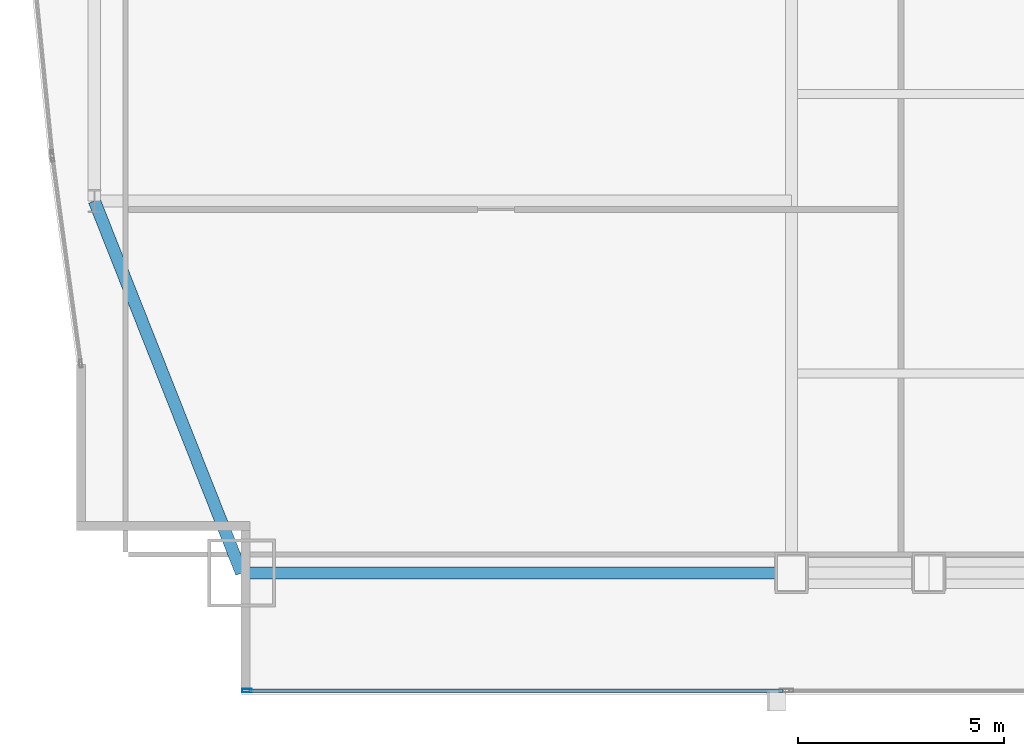
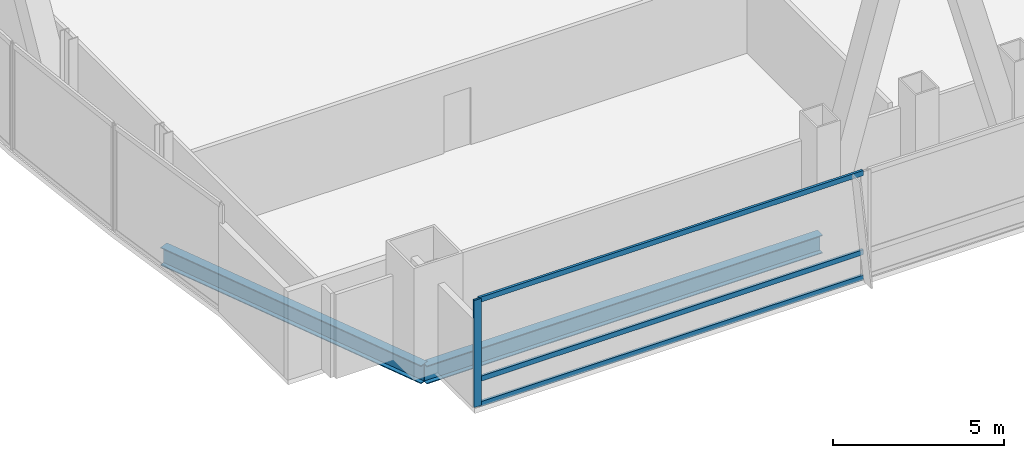
# One storey, part 5 of 35: 4 members, 2 beams, 1 element without a shape of its own.
"""IFC4 building model written with IfcOpenShell, lengths in metres."""

from ifc_helpers import new_model, si_unit, direction, frame, origin, origin_2d, place, context, subcontext, project, spatial, hollow_rectangle, i_section, extrude, material, material_profile, profile_set, type_object, element, aggregate, save


model = new_model("IFC4")

# Units and contexts
model_context = context("Model", 3, precision=1e-05, world=origin(), true_north=direction((0.0, 1.0)))
body_context = subcontext(model_context, "Body", "Model", "MODEL_VIEW")
ifc_project = project(units=[si_unit("LENGTHUNIT", "METRE"), si_unit("AREAUNIT", "SQUARE_METRE"), si_unit("VOLUMEUNIT", "CUBIC_METRE"), si_unit("PLANEANGLEUNIT", "RADIAN"), si_unit("MASSUNIT", "GRAM", prefix="KILO")], contexts=[model_context])

# Site, building, storey
site_placement = place(None, origin())
site = spatial("IfcSite", under=ifc_project, at=site_placement, CompositionType="ELEMENT")
building_placement = place(site_placement, origin())
building = spatial("IfcBuilding", under=site, at=building_placement, Name="Khoronbel Lancet Exchange", CompositionType="ELEMENT")
storey_placement = place(building_placement, frame((0.0, 0.0, 37.800048828125)))
storey = spatial("IfcBuildingStorey", under=building, at=storey_placement, Name="L08", CompositionType="ELEMENT", Elevation=37.800048828125)

# Beams
ifc_material_1 = material(Name="Steel S355", Category="steel")
ifc_material_profile_1 = material_profile(ifc_material_1, i_section(OverallWidth=0.300048828125, OverallDepth=0.64990234375, WebThickness=0.01611328125, FlangeThickness=0.031005859375, at=origin_2d()), Name="HEB 650")
ifc_profile_set_1 = profile_set([ifc_material_profile_1], Name="Steel S355")
beam_type = type_object("IfcBeamType", Name="BM-BSP1", PredefinedType="SPANDREL", material=ifc_profile_set_1)
beam_1_placement = place(storey_placement, frame((4.85009765625, 10.14990234375, -0.505126953125), z_axis=(1.0, 0.0, 0.0), x_axis=(0.0, 1.0, 0.0)))
element("IfcBeam", 1, at=beam_1_placement, inside=storey, type_object=beam_type, Name="Level L08 perimeter spandrel beam SP01", PredefinedType="SPANDREL", context=body_context, shape_type="SweptSolid", body=[
    extrude(i_section(OverallWidth=0.300048828125, OverallDepth=0.64990234375, WebThickness=0.01611328125, FlangeThickness=0.031005859375, at=origin_2d()), origin(), (0.0, 0.0, 1.0), 13.375),
])
beam_2_placement = place(storey_placement, frame((1.27001953125, 19.199951171875, -0.505126953125), z_axis=(0.367850095026, -0.92988510451, 0.0), x_axis=(0.92988510451, 0.367850095026, 0.0)))
element("IfcBeam", 2, at=beam_2_placement, inside=storey, type_object=beam_type, Name="Level L08 perimeter spandrel beam SP21", PredefinedType="SPANDREL", context=body_context, shape_type="SweptSolid", body=[
    extrude(i_section(OverallWidth=0.300048828125, OverallDepth=0.64990234375, WebThickness=0.01611328125, FlangeThickness=0.031005859375, at=origin_2d()), origin(), (0.0, 0.0, 1.0), 9.732421875),
])

# Curtain wall, members
ifc_material_2 = material(Name="Low-E Solar Control Insulating Glass", Category="glass")
curtain_wall_type = type_object("IfcCurtainWallType", Name="CW-1", PredefinedType="NOTDEFINED", material=ifc_material_2)
curtain_wall_placement = place(storey_placement, origin())
curtain_wall = element("IfcCurtainWall", 3, at=curtain_wall_placement, inside=storey, type_object=curtain_wall_type, Name="Unitised curtain wall CW-L08-SWV", PredefinedType="NOTDEFINED")
ifc_material_3 = material(Name="Bronze-Anodised Aluminium 6063-T6", Category="aluminium")
ifc_material_profile_2 = material_profile(ifc_material_3, hollow_rectangle(XDim=0.0849609375, YDim=0.239990234375, WallThickness=0.006103515625, at=origin_2d()), Name="ALU MULLION 85x240")
ifc_profile_set_2 = profile_set([ifc_material_profile_2], Name="Bronze-Anodised Aluminium 6063-T6")
member_type_1 = type_object("IfcMemberType", Name="MEM-CWM1", PredefinedType="MULLION", material=ifc_profile_set_2)
member_1_placement = place(storey_placement, frame((4.982421875, 7.2900390625, 0.0), z_axis=(0.0, 0.0, 1.0), x_axis=(0.0, 1.0, 0.0)))
member_1 = element("IfcMember", 4, at=member_1_placement, type_object=member_type_1, Name="CW1 mullion 1", PredefinedType="MULLION", context=body_context, shape_type="SweptSolid", body=[
    extrude(hollow_rectangle(XDim=0.0849609375, YDim=0.239990234375, WallThickness=0.006103515625, at=origin_2d()), origin(), (0.0, 0.0, 1.0), 3.820068359375),
])
ifc_material_profile_3 = material_profile(ifc_material_3, hollow_rectangle(XDim=0.0849609375, YDim=0.179931640625, WallThickness=0.0048828125, at=origin_2d()), Name="ALU TRANSOM 85x180")
ifc_profile_set_3 = profile_set([ifc_material_profile_3], Name="Bronze-Anodised Aluminium 6063-T6")
member_type_2 = type_object("IfcMemberType", Name="MEM-CWT1", PredefinedType="USERDEFINED", material=ifc_profile_set_3)
member_2_placement = place(storey_placement, frame((5.02490234375, 7.2900390625, 0.04248046875), z_axis=(1.0, 0.0, 0.0), x_axis=(0.0, 1.0, 0.0)))
member_2 = element("IfcMember", 5, at=member_2_placement, type_object=member_type_2, Name="CW1 transom 1.1", ObjectType="TRANSOM", PredefinedType="USERDEFINED", context=body_context, shape_type="SweptSolid", body=[
    extrude(hollow_rectangle(XDim=0.0849609375, YDim=0.179931640625, WallThickness=0.0048828125, at=origin_2d()), origin(), (0.0, 0.0, 1.0), 12.989990234375),
])
member_3_placement = place(storey_placement, frame((5.02490234375, 7.2900390625, 0.949951171875), z_axis=(1.0, 0.0, 0.0), x_axis=(0.0, 1.0, 0.0)))
member_3 = element("IfcMember", 6, at=member_3_placement, type_object=member_type_2, Name="CW1 transom 1.2", ObjectType="TRANSOM", PredefinedType="USERDEFINED", context=body_context, shape_type="SweptSolid", body=[
    extrude(hollow_rectangle(XDim=0.0849609375, YDim=0.179931640625, WallThickness=0.0048828125, at=origin_2d()), origin(), (0.0, 0.0, 1.0), 12.989990234375),
])
member_4_placement = place(storey_placement, frame((5.02490234375, 7.2900390625, 3.77734375), z_axis=(1.0, 0.0, 0.0), x_axis=(0.0, 1.0, 0.0)))
member_4 = element("IfcMember", 7, at=member_4_placement, type_object=member_type_2, Name="CW1 transom 1.3", ObjectType="TRANSOM", PredefinedType="USERDEFINED", context=body_context, shape_type="SweptSolid", body=[
    extrude(hollow_rectangle(XDim=0.0849609375, YDim=0.179931640625, WallThickness=0.0048828125, at=origin_2d()), origin(), (0.0, 0.0, 1.0), 12.989990234375),
])
aggregate(curtain_wall, [member_1, member_2, member_3, member_4])

save(model, "model.ifc")
